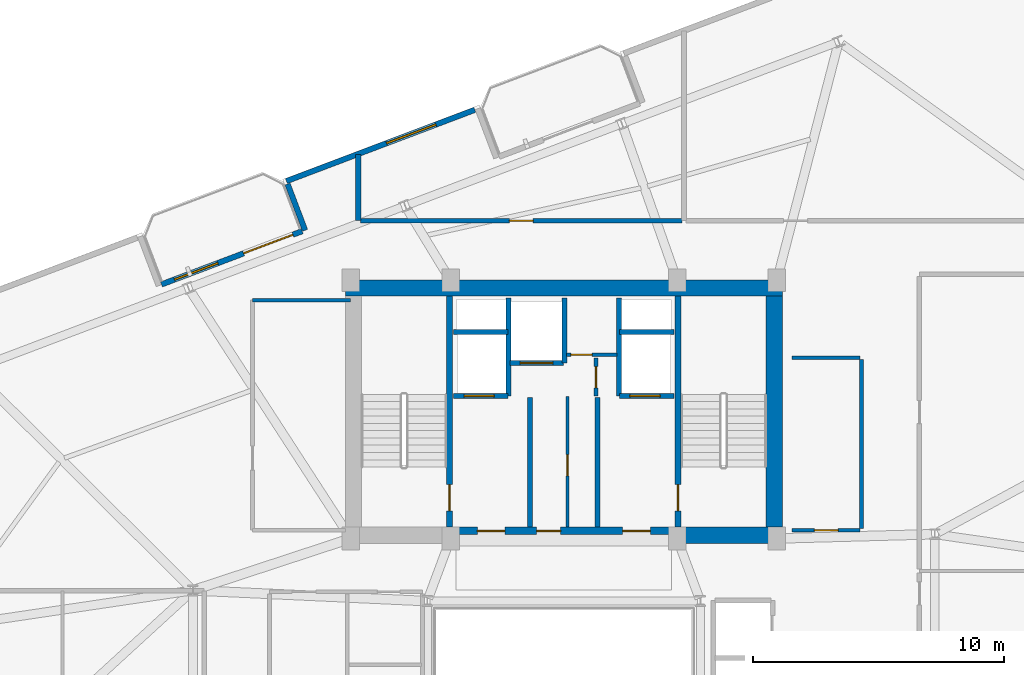
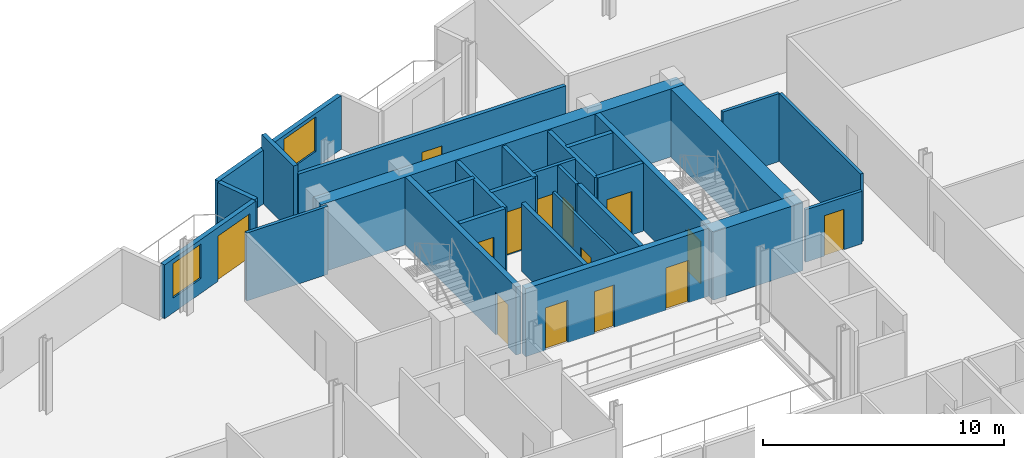
# One storey, part 20 of 23: 28 walls, 14 doors, 2 windows, 16 openings.
"""IFC4 building model written with IfcOpenShell, lengths in metres."""

from ifc_helpers import new_model, si_unit, direction, frame, frame_2d, origin, place, context, subcontext, project, spatial, rectangle, extrude, material, layer, layer_set, type_object, element, fill, save


model = new_model("IFC4")

# Units and contexts
model_context = context("Model", 3, precision=1e-05, world=origin(), true_north=direction((0.0, 1.0)))
body_context = subcontext(model_context, "Body", "Model", "MODEL_VIEW")
ifc_project = project(units=[si_unit("LENGTHUNIT", "METRE"), si_unit("AREAUNIT", "SQUARE_METRE"), si_unit("VOLUMEUNIT", "CUBIC_METRE"), si_unit("PLANEANGLEUNIT", "RADIAN"), si_unit("MASSUNIT", "GRAM", prefix="KILO")], contexts=[model_context])

# Site, building, storey
site_placement = place(None, origin())
site = spatial("IfcSite", under=ifc_project, at=site_placement, CompositionType="ELEMENT")
building_placement = place(site_placement, origin())
building = spatial("IfcBuilding", under=site, at=building_placement, Name="Varnelok Gate Tower", CompositionType="ELEMENT")
storey_placement = place(building_placement, frame((0.0, 0.0, 227.5)))
storey = spatial("IfcBuildingStorey", under=building, at=storey_placement, Name="L58", CompositionType="ELEMENT", Elevation=227.5)

# Wall, openings, door, window
ifc_material_1 = material(Name="Concrete C45/55", Category="concrete")
ifc_layer_1 = layer(ifc_material_1, 0.219970703125)
ifc_layer_set_1 = layer_set([ifc_layer_1], Name="Concrete C45/55")
wall_type_1 = type_object("IfcWallType", Name="EW-BALC-220", PredefinedType="SOLIDWALL", material=ifc_layer_set_1)
wall_1_placement = place(storey_placement, frame((23.1494140625, 38.88720703125, 0.0), z_axis=(0.0, 0.0, 1.0), x_axis=(0.9352192676, 0.354069091436, 0.0)))
wall_1 = element("IfcWall", 1, at=wall_1_placement, inside=storey, type_object=wall_type_1, Name="L58 North Terrace Envelope Wall 3", PredefinedType="SOLIDWALL", context=body_context, shape_type="SweptSolid", body=[
    extrude(rectangle(XDim=6.000244140625, YDim=0.219970703125, at=frame_2d((3.0, 0.0))), origin(), (0.0, 0.0, 1.0), 2.72998046875),
])
opening_1_placement = place(wall_1_placement, frame((3.5, 0.0, 0.0)))
opening_1 = element("IfcOpeningElement", 2, at=opening_1_placement, cuts=wall_1, Name="Opening BD-2", PredefinedType="OPENING", context=body_context, shape_type="SweptSolid", body=[
    extrude(rectangle(XDim=2.10009765625, YDim=2.300048828125, at=frame_2d((1.050048828125, 1.14990234375))), frame((0.0, 0.119873046875, 0.0), z_axis=(0.0, -1.0, 0.0), x_axis=(1.0, 0.0, 0.0)), (0.0, 0.0, 1.0), 0.239990234375),
])
opening_2_placement = place(wall_1_placement, frame((0.550048828125, 0.0, 0.75)))
opening_2 = element("IfcOpeningElement", 3, at=opening_2_placement, cuts=wall_1, Name="Opening WN5", PredefinedType="OPENING", context=body_context, shape_type="SweptSolid", body=[
    extrude(rectangle(XDim=1.85009765625, YDim=1.75, at=frame_2d((0.925048828125, 0.875))), frame((0.0, 0.119873046875, 0.0), z_axis=(0.0, -1.0, 0.0), x_axis=(1.0, 0.0, 0.0)), (0.0, 0.0, 1.0), 0.239990234375),
])
ifc_material_2 = material(Name="Anodized Aluminum Alloy 6063-T6", Category="aluminium")
door_type_1 = type_object("IfcDoorType", Name="DR-EXT-SLID2100", OperationType="SLIDING_TO_LEFT", PredefinedType="DOOR", material=ifc_material_2)
door_1_placement = place(opening_1_placement, origin())
door_1 = element("IfcDoor", 4, at=door_1_placement, inside=storey, type_object=door_type_1, Name="L58 North Balcony Glazed Door 3", OperationType="SLIDING_TO_LEFT", OverallHeight=2.300048828125, OverallWidth=2.10009765625, PredefinedType="DOOR", context=body_context, shape_type="SweptSolid", body=[
    extrude(rectangle(XDim=2.10009765625, YDim=2.300048828125, at=frame_2d((1.050048828125, 1.14990234375))), frame((0.0, 0.02490234375, 0.0), z_axis=(0.0, -1.0, 0.0), x_axis=(1.0, 0.0, 0.0)), (0.0, 0.0, 1.0), 0.050048828125),
])
fill(opening_1, door_1)
ifc_material_3 = material(Name="Low-E Laminated Double Glazing IGU", Category="glass")
window_type_1 = type_object("IfcWindowType", Name="WN-RES-1850", PartitioningType="SINGLE_PANEL", PredefinedType="WINDOW", material=ifc_material_3)
window_1_placement = place(opening_2_placement, origin())
window_1 = element("IfcWindow", 5, at=window_1_placement, inside=storey, type_object=window_type_1, Name="L58 North Vision Window 3.1", OverallHeight=1.75, OverallWidth=1.85009765625, PartitioningType="SINGLE_PANEL", PredefinedType="WINDOW", context=body_context, shape_type="SweptSolid", body=[
    extrude(rectangle(XDim=1.85009765625, YDim=1.75, at=frame_2d((0.925048828125, 0.875))), frame((0.0, 0.030029296875, 0.0), z_axis=(0.0, -1.0, 0.0), x_axis=(1.0, 0.0, 0.0)), (0.0, 0.0, 1.0), 0.06005859375),
])
fill(opening_2, window_1)

# Wall, opening, window
wall_2_placement = place(storey_placement, frame((35.647705078125, 45.853515625, 0.0), z_axis=(0.0, 0.0, 1.0), x_axis=(-0.935230796934, -0.354038636968, 0.0)))
wall_2 = element("IfcWall", 6, at=wall_2_placement, inside=storey, type_object=wall_type_1, Name="L58 Perimeter Facade Closure Wall 29", PredefinedType="SOLIDWALL", context=body_context, shape_type="SweptSolid", body=[
    extrude(rectangle(XDim=8.03515625, YDim=0.219970703125, at=frame_2d((4.017578125, 0.0))), origin(), (0.0, 0.0, 1.0), 2.72998046875),
])
opening_3_placement = place(wall_2_placement, frame((1.661865234375, 0.0, 0.800048828125)))
opening_3 = element("IfcOpeningElement", 7, at=opening_3_placement, cuts=wall_2, Name="Opening WN4", PredefinedType="OPENING", context=body_context, shape_type="SweptSolid", body=[
    extrude(rectangle(XDim=2.10009765625, YDim=1.75, at=frame_2d((1.050048828125, 0.875))), frame((0.0, 0.119873046875, 0.0), z_axis=(0.0, -1.0, 0.0), x_axis=(1.0, 0.0, 0.0)), (0.0, 0.0, 1.0), 0.239990234375),
])
window_type_2 = type_object("IfcWindowType", Name="WN-SUI-2100", PartitioningType="SINGLE_PANEL", PredefinedType="WINDOW", material=ifc_material_3)
window_2_placement = place(opening_3_placement, origin())
window_2 = element("IfcWindow", 8, at=window_2_placement, inside=storey, type_object=window_type_2, Name="L58 Perimeter Vision Window 29", OverallHeight=1.75, OverallWidth=2.10009765625, PartitioningType="SINGLE_PANEL", PredefinedType="WINDOW", context=body_context, shape_type="SweptSolid", body=[
    extrude(rectangle(XDim=2.10009765625, YDim=1.75, at=frame_2d((1.050048828125, 0.875))), frame((0.0, 0.030029296875, 0.0), z_axis=(0.0, -1.0, 0.0), x_axis=(1.0, 0.0, 0.0)), (0.0, 0.0, 1.0), 0.06005859375),
])
fill(opening_3, window_2)

# Wall
wall_3_placement = place(storey_placement, frame((28.177490234375, 42.891845703125, 0.0), z_axis=(0.0, 0.0, 1.0), x_axis=(0.354061611705, -0.935222099352, 0.0)))
element("IfcWall", 9, at=wall_3_placement, inside=storey, type_object=wall_type_1, Name="L58 Perimeter Facade Closure Wall 30", PredefinedType="SOLIDWALL", context=body_context, shape_type="SweptSolid", body=[
    extrude(rectangle(XDim=1.974853515625, YDim=0.219970703125, at=frame_2d((0.9873046875, 0.0))), origin(), (0.0, 0.0, 1.0), 2.72998046875),
])

# Wall, opening, door
ifc_material_4 = material(Name="Gypsum Plasterboard Acoustic Partition", Category="gypsum")
ifc_layer_2 = layer(ifc_material_4, 0.179931640625)
ifc_layer_set_2 = layer_set([ifc_layer_2], Name="Gypsum Plasterboard Acoustic Partition")
wall_type_2 = type_object("IfcWallType", Name="PW-CORR-180", PredefinedType="PARTITIONING", material=ifc_layer_set_2)
wall_4_placement = place(storey_placement, frame((31.080078125, 41.429931640625, 0.0), z_axis=(0.0, 0.0, 1.0), x_axis=(1.0, 0.0, 0.0)))
wall_4 = element("IfcWall", 10, at=wall_4_placement, inside=storey, type_object=wall_type_2, Name="Interior Partition", PredefinedType="PARTITIONING", context=body_context, shape_type="SweptSolid", body=[
    extrude(rectangle(XDim=12.83984375, YDim=0.179931640625, at=frame_2d((6.419921875, 0.0))), origin(), (0.0, 0.0, 1.0), 3.01806640625),
])
opening_4_placement = place(wall_4_placement, frame((5.945068359375, 0.0, 0.0)))
opening_4 = element("IfcOpeningElement", 11, at=opening_4_placement, cuts=wall_4, Name="Opening D-I2", PredefinedType="OPENING", context=body_context, shape_type="SweptSolid", body=[
    extrude(rectangle(XDim=0.949951171875, YDim=2.050048828125, at=frame_2d((0.47509765625, 1.02490234375))), frame((0.0, 0.099853515625, 0.0), z_axis=(0.0, -1.0, 0.0), x_axis=(1.0, 0.0, 0.0)), (0.0, 0.0, 1.0), 0.199951171875),
])
ifc_material_5 = material(Name="Engineered Hardwood Timber", Category="wood")
door_type_2 = type_object("IfcDoorType", Name="DR-INT-950", OperationType="NOTDEFINED", PredefinedType="DOOR", material=ifc_material_5)
door_2_placement = place(opening_4_placement, origin())
door_2 = element("IfcDoor", 12, at=door_2_placement, inside=storey, type_object=door_type_2, Name="L58 Executive Business Office 2 Door", OperationType="SINGLE_SWING_LEFT", OverallHeight=2.050048828125, OverallWidth=0.949951171875, PredefinedType="DOOR", context=body_context, shape_type="SweptSolid", body=[
    extrude(rectangle(XDim=0.949951171875, YDim=2.050048828125, at=frame_2d((0.47509765625, 1.02490234375))), frame((0.0, 0.02490234375, 0.0), z_axis=(0.0, -1.0, 0.0), x_axis=(1.0, 0.0, 0.0)), (0.0, 0.0, 1.0), 0.050048828125),
])
fill(opening_4, door_2)

ifc_layer_3 = layer(ifc_material_4, 0.125)
ifc_layer_set_3 = layer_set([ifc_layer_3], Name="Gypsum Plasterboard Acoustic Partition")
wall_type_3 = type_object("IfcWallType", Name="PW-PART-125", PredefinedType="PARTITIONING", material=ifc_layer_set_3)
wall_5_placement = place(storey_placement, frame((39.35009765625, 29.199951171875, 0.0), z_axis=(0.0, 0.0, 1.0), x_axis=(0.0, 1.0, 0.0)))
wall_5 = element("IfcWall", 13, at=wall_5_placement, inside=storey, type_object=wall_type_3, Name="Interior Partition", PredefinedType="PARTITIONING", context=body_context, shape_type="SweptSolid", body=[
    extrude(rectangle(XDim=5.219970703125, YDim=0.125, at=frame_2d((2.60986328125, 0.0))), origin(), (0.0, 0.0, 1.0), 3.449951171875),
])
opening_5_placement = place(wall_5_placement, frame((2.050048828125, 0.0, 0.0)))
opening_5 = element("IfcOpeningElement", 14, at=opening_5_placement, cuts=wall_5, Name="Opening D-RS", PredefinedType="OPENING", context=body_context, shape_type="SweptSolid", body=[
    extrude(rectangle(XDim=0.85009765625, YDim=2.050048828125, at=frame_2d((0.425048828125, 1.02490234375))), frame((0.0, 0.072509765625, 0.0), z_axis=(0.0, -1.0, 0.0), x_axis=(1.0, 0.0, 0.0)), (0.0, 0.0, 1.0), 0.14501953125),
])
ifc_material_6 = material(Name="Galvanized Steel Grade S350GD", Category="steel")
door_type_3 = type_object("IfcDoorType", Name="DR-RISER-850", OperationType="NOTDEFINED", PredefinedType="DOOR", material=ifc_material_6)
door_3_placement = place(opening_5_placement, origin())
door_3 = element("IfcDoor", 15, at=door_3_placement, inside=storey, type_object=door_type_3, Name="L58 Housekeeping Linen Door", OperationType="SINGLE_SWING_RIGHT", OverallHeight=2.050048828125, OverallWidth=0.85009765625, PredefinedType="DOOR", context=body_context, shape_type="SweptSolid", body=[
    extrude(rectangle(XDim=0.85009765625, YDim=2.050048828125, at=frame_2d((0.425048828125, 1.02490234375))), frame((0.0, 0.02490234375, 0.0), z_axis=(0.0, -1.0, 0.0), x_axis=(1.0, 0.0, 0.0)), (0.0, 0.0, 1.0), 0.050048828125),
])
fill(opening_5, door_3)

ifc_layer_4 = layer(ifc_material_4, 0.14990234375)
ifc_layer_set_4 = layer_set([ifc_layer_4], Name="Gypsum Plasterboard Acoustic Partition")
wall_type_4 = type_object("IfcWallType", Name="PW-PART-150", PredefinedType="PARTITIONING", material=ifc_layer_set_4)
wall_6_placement = place(storey_placement, frame((39.300048828125, 36.080078125, 0.0), z_axis=(0.0, 0.0, 1.0), x_axis=(1.0, 0.0, 0.0)))
wall_6 = element("IfcWall", 16, at=wall_6_placement, inside=storey, type_object=wall_type_4, Name="L58 Electrical Closet South Wall", PredefinedType="PARTITIONING", context=body_context, shape_type="SweptSolid", body=[
    extrude(rectangle(XDim=2.02001953125, YDim=0.14990234375, at=frame_2d((1.010009765625, 0.0))), origin(), (0.0, 0.0, 1.0), 3.449951171875),
])
opening_6_placement = place(wall_6_placement, frame((0.179931640625, 0.0, 0.0)))
opening_6 = element("IfcOpeningElement", 17, at=opening_6_placement, cuts=wall_6, Name="Opening D-RS", PredefinedType="OPENING", context=body_context, shape_type="SweptSolid", body=[
    extrude(rectangle(XDim=0.85009765625, YDim=2.050048828125, at=frame_2d((0.425048828125, 1.02490234375))), frame((0.0, 0.0849609375, 0.0), z_axis=(0.0, -1.0, 0.0), x_axis=(1.0, 0.0, 0.0)), (0.0, 0.0, 1.0), 0.169921875),
])
door_4_placement = place(opening_6_placement, origin())
door_4 = element("IfcDoor", 18, at=door_4_placement, inside=storey, type_object=door_type_3, Name="L58 Electrical Closet Door", OperationType="SINGLE_SWING_RIGHT", OverallHeight=2.050048828125, OverallWidth=0.85009765625, PredefinedType="DOOR", context=body_context, shape_type="SweptSolid", body=[
    extrude(rectangle(XDim=0.85009765625, YDim=2.050048828125, at=frame_2d((0.425048828125, 1.02490234375))), frame((0.0, 0.02490234375, 0.0), z_axis=(0.0, -1.0, 0.0), x_axis=(1.0, 0.0, 0.0)), (0.0, 0.0, 1.0), 0.050048828125),
])
fill(opening_6, door_4)

wall_7_placement = place(storey_placement, frame((40.47998046875, 34.43994140625, 0.0), z_axis=(0.0, 0.0, 1.0), x_axis=(0.0, 1.0, 0.0)))
wall_7 = element("IfcWall", 19, at=wall_7_placement, inside=storey, type_object=wall_type_4, Name="L58 Telecoms Closet West Wall", PredefinedType="PARTITIONING", context=body_context, shape_type="SweptSolid", body=[
    extrude(rectangle(XDim=1.52001953125, YDim=0.14990234375, at=frame_2d((0.760009765625, 0.0))), origin(), (0.0, 0.0, 1.0), 3.449951171875),
])
opening_7_placement = place(wall_7_placement, frame((0.320068359375, 0.0, 0.0)))
opening_7 = element("IfcOpeningElement", 20, at=opening_7_placement, cuts=wall_7, Name="Opening D-RS", PredefinedType="OPENING", context=body_context, shape_type="SweptSolid", body=[
    extrude(rectangle(XDim=0.85009765625, YDim=2.050048828125, at=frame_2d((0.425048828125, 1.02490234375))), frame((0.0, 0.0849609375, 0.0), z_axis=(0.0, -1.0, 0.0), x_axis=(1.0, 0.0, 0.0)), (0.0, 0.0, 1.0), 0.169921875),
])
door_5_placement = place(opening_7_placement, origin())
door_5 = element("IfcDoor", 21, at=door_5_placement, inside=storey, type_object=door_type_3, Name="L58 Telecoms Closet Door", OperationType="SINGLE_SWING_LEFT", OverallHeight=2.050048828125, OverallWidth=0.85009765625, PredefinedType="DOOR", context=body_context, shape_type="SweptSolid", body=[
    extrude(rectangle(XDim=0.85009765625, YDim=2.050048828125, at=frame_2d((0.425048828125, 1.02490234375))), frame((0.0, 0.02490234375, 0.0), z_axis=(0.0, -1.0, 0.0), x_axis=(1.0, 0.0, 0.0)), (0.0, 0.0, 1.0), 0.050048828125),
])
fill(opening_7, door_5)

# Wall
wall_8_placement = place(storey_placement, frame((26.780029296875, 38.260009765625, 0.0), z_axis=(0.0, 0.0, 1.0), x_axis=(1.0, 0.0, 0.0)))
element("IfcWall", 22, at=wall_8_placement, inside=storey, type_object=wall_type_4, Name="Interior Partition", PredefinedType="PARTITIONING", context=body_context, shape_type="SweptSolid", body=[
    extrude(rectangle(XDim=3.89990234375, YDim=0.14990234375, at=frame_2d((1.949951171875, 0.0))), origin(), (0.0, 0.0, 1.0), 3.449951171875),
])

# Wall, opening, door
wall_9_placement = place(storey_placement, frame((48.300048828125, 29.080078125, 0.0), z_axis=(0.0, 0.0, 1.0), x_axis=(1.0, 0.0, 0.0)))
wall_9 = element("IfcWall", 23, at=wall_9_placement, inside=storey, type_object=wall_type_4, Name="Interior Partition", PredefinedType="PARTITIONING", context=body_context, shape_type="SweptSolid", body=[
    extrude(rectangle(XDim=2.719970703125, YDim=0.14990234375, at=frame_2d((1.35986328125, 0.0))), origin(), (0.0, 0.0, 1.0), 2.662109375),
])
opening_8_placement = place(wall_9_placement, frame((0.89990234375, 0.0, 0.0)))
opening_8 = element("IfcOpeningElement", 24, at=opening_8_placement, cuts=wall_9, Name="Opening D-I2", PredefinedType="OPENING", context=body_context, shape_type="SweptSolid", body=[
    extrude(rectangle(XDim=0.949951171875, YDim=2.050048828125, at=frame_2d((0.47509765625, 1.02490234375))), frame((0.0, 0.0849609375, 0.0), z_axis=(0.0, -1.0, 0.0), x_axis=(1.0, 0.0, 0.0)), (0.0, 0.0, 1.0), 0.169921875),
])
door_6_placement = place(opening_8_placement, origin())
door_6 = element("IfcDoor", 25, at=door_6_placement, inside=storey, type_object=door_type_2, Name="L58 Reclaimed Trunk Store Door", OperationType="SINGLE_SWING_LEFT", OverallHeight=2.050048828125, OverallWidth=0.949951171875, PredefinedType="DOOR", context=body_context, shape_type="SweptSolid", body=[
    extrude(rectangle(XDim=0.949951171875, YDim=2.050048828125, at=frame_2d((0.47509765625, 1.02490234375))), frame((0.0, 0.02490234375, 0.0), z_axis=(0.0, -1.0, 0.0), x_axis=(1.0, 0.0, 0.0)), (0.0, 0.0, 1.0), 0.050048828125),
])
fill(opening_8, door_6)

# Walls
wall_10_placement = place(storey_placement, frame((48.300048828125, 35.9599609375, 0.0), z_axis=(0.0, 0.0, 1.0), x_axis=(1.0, 0.0, 0.0)))
element("IfcWall", 26, at=wall_10_placement, inside=storey, type_object=wall_type_4, Name="Interior Partition", PredefinedType="PARTITIONING", context=body_context, shape_type="SweptSolid", body=[
    extrude(rectangle(XDim=2.719970703125, YDim=0.14990234375, at=frame_2d((1.35986328125, 0.0))), origin(), (0.0, 0.0, 1.0), 3.449951171875),
])
wall_11_placement = place(storey_placement, frame((51.080078125, 29.139892578125, 0.0), z_axis=(0.0, 0.0, 1.0), x_axis=(0.0, 1.0, 0.0)))
element("IfcWall", 27, at=wall_11_placement, inside=storey, type_object=wall_type_4, Name="Interior Partition", PredefinedType="PARTITIONING", context=body_context, shape_type="SweptSolid", body=[
    extrude(rectangle(XDim=6.760009765625, YDim=0.14990234375, at=frame_2d((3.3798828125, 0.0))), origin(), (0.0, 0.0, 1.0), 3.449951171875),
])
ifc_layer_5 = layer(ifc_material_4, 0.205078125)
ifc_layer_set_5 = layer_set([ifc_layer_5], Name="Gypsum Plasterboard Acoustic Partition")
wall_type_5 = type_object("IfcWallType", Name="PW-PARTY-200", PredefinedType="PARTITIONING", material=ifc_layer_set_5)
wall_12_placement = place(storey_placement, frame((31.0, 41.429931640625, 0.0), z_axis=(0.0, 0.0, 1.0), x_axis=(0.0, 1.0, 0.0)))
element("IfcWall", 28, at=wall_12_placement, inside=storey, type_object=wall_type_5, Name="L58 North Party Wall 1", PredefinedType="PARTITIONING", context=body_context, shape_type="SweptSolid", body=[
    extrude(rectangle(XDim=2.642822265625, YDim=0.205078125, at=frame_2d((1.3212890625, 0.0))), origin(), (0.0, 0.0, 1.0), 3.449951171875),
])
ifc_material_7 = material(Name="Concrete C35/45", Category="concrete")
ifc_layer_6 = layer(ifc_material_7, 0.199951171875)
ifc_layer_set_6 = layer_set([ifc_layer_6], Name="Concrete C35/45")
wall_type_6 = type_object("IfcWallType", Name="PW-SHAFT-200", PredefinedType="PARTITIONING", material=ifc_layer_set_6)
for number, where, z_axis, x_axis, name in (
    (29, (37.860107421875, 29.199951171875, 0.0), (0.0, 0.0, 1.0), (0.0, 1.0, 0.0), "L58 West FF Lobby Rated Wall"),
    (30, (40.5400390625, 29.199951171875, 0.0), (0.0, 0.0, 1.0), (0.0, 1.0, 0.0), "L58 East FF Lobby Rated Wall"),
):
    element("IfcWall", number, at=place(storey_placement, frame(where, z_axis=z_axis, x_axis=x_axis)), inside=storey, type_object=wall_type_6, Name=name, PredefinedType="PARTITIONING", context=body_context, shape_type="SweptSolid", body=[
        extrude(rectangle(XDim=5.179931640625, YDim=0.199951171875, at=frame_2d((2.58984375, 0.0))), origin(), (0.0, 0.0, 1.0), 3.449951171875),
    ])

# Wall, opening, door
wall_13_placement = place(storey_placement, frame((34.800048828125, 34.43994140625, 0.0), z_axis=(0.0, 0.0, 1.0), x_axis=(1.0, 0.0, 0.0)))
wall_13 = element("IfcWall", 31, at=wall_13_placement, inside=storey, type_object=wall_type_6, Name="L58 FF1 Shaft Front Wall", PredefinedType="PARTITIONING", context=body_context, shape_type="SweptSolid", body=[
    extrude(rectangle(XDim=2.179931640625, YDim=0.199951171875, at=frame_2d((1.08984375, 0.0))), origin(), (0.0, 0.0, 1.0), 3.449951171875),
])
opening_9_placement = place(wall_13_placement, frame((0.419921875, 0.0, 0.0)))
opening_9 = element("IfcOpeningElement", 32, at=opening_9_placement, cuts=wall_13, Name="Opening LD-FF1", PredefinedType="OPENING", context=body_context, shape_type="SweptSolid", body=[
    extrude(rectangle(XDim=1.199951171875, YDim=2.199951171875, at=frame_2d((0.60009765625, 1.10009765625))), frame((0.0, 0.10986328125, 0.0), z_axis=(0.0, -1.0, 0.0), x_axis=(1.0, 0.0, 0.0)), (0.0, 0.0, 1.0), 0.219970703125),
])
door_type_4 = type_object("IfcDoorType", Name="DR-LIFT-FF1200", OperationType="SLIDING_TO_LEFT", PredefinedType="DOOR", material=ifc_material_6)
door_7_placement = place(opening_9_placement, origin())
door_7 = element("IfcDoor", 33, at=door_7_placement, inside=storey, type_object=door_type_4, Name="L58 Firefighting Lift Landing Door LD-FF1", OperationType="SLIDING_TO_LEFT", OverallHeight=2.199951171875, OverallWidth=1.199951171875, PredefinedType="DOOR", context=body_context, shape_type="SweptSolid", body=[
    extrude(rectangle(XDim=1.199951171875, YDim=2.199951171875, at=frame_2d((0.60009765625, 1.10009765625))), frame((0.0, 0.02490234375, 0.0), z_axis=(0.0, -1.0, 0.0), x_axis=(1.0, 0.0, 0.0)), (0.0, 0.0, 1.0), 0.050048828125),
])
fill(opening_9, door_7)

# Walls
wall_14_placement = place(storey_placement, frame((34.800048828125, 36.97998046875, 0.0), z_axis=(0.0, 0.0, 1.0), x_axis=(1.0, 0.0, 0.0)))
element("IfcWall", 34, at=wall_14_placement, inside=storey, type_object=wall_type_6, Name="L58 FF1 Shaft North Wall", PredefinedType="PARTITIONING", context=body_context, shape_type="SweptSolid", body=[
    extrude(rectangle(XDim=2.179931640625, YDim=0.199951171875, at=frame_2d((1.08984375, 0.0))), origin(), (0.0, 0.0, 1.0), 3.449951171875),
])
wall_15_placement = place(storey_placement, frame((37.0, 34.43994140625, 0.0), z_axis=(0.0, 0.0, 1.0), x_axis=(0.0, 1.0, 0.0)))
element("IfcWall", 35, at=wall_15_placement, inside=storey, type_object=wall_type_6, Name="L58 FF1 Shaft Side Wall", PredefinedType="PARTITIONING", context=body_context, shape_type="SweptSolid", body=[
    extrude(rectangle(XDim=3.900146484375, YDim=0.199951171875, at=frame_2d((1.9501953125, 0.0))), origin(), (0.0, 0.0, 1.0), 3.449951171875),
])

# Wall, opening, door
wall_16_placement = place(storey_placement, frame((41.419921875, 34.43994140625, 0.0), z_axis=(0.0, 0.0, 1.0), x_axis=(1.0, 0.0, 0.0)))
wall_16 = element("IfcWall", 36, at=wall_16_placement, inside=storey, type_object=wall_type_6, Name="L58 FF2 Shaft Front Wall", PredefinedType="PARTITIONING", context=body_context, shape_type="SweptSolid", body=[
    extrude(rectangle(XDim=2.18017578125, YDim=0.199951171875, at=frame_2d((1.090087890625, 0.0))), origin(), (0.0, 0.0, 1.0), 3.449951171875),
])
opening_10_placement = place(wall_16_placement, frame((0.419921875, 0.0, 0.0)))
opening_10 = element("IfcOpeningElement", 37, at=opening_10_placement, cuts=wall_16, Name="Opening LD-FF2", PredefinedType="OPENING", context=body_context, shape_type="SweptSolid", body=[
    extrude(rectangle(XDim=1.199951171875, YDim=2.199951171875, at=frame_2d((0.60009765625, 1.10009765625))), frame((0.0, 0.10986328125, 0.0), z_axis=(0.0, -1.0, 0.0), x_axis=(1.0, 0.0, 0.0)), (0.0, 0.0, 1.0), 0.219970703125),
])
door_8_placement = place(opening_10_placement, origin())
door_8 = element("IfcDoor", 38, at=door_8_placement, inside=storey, type_object=door_type_4, Name="L58 Firefighting Lift Landing Door LD-FF2", OperationType="SLIDING_TO_LEFT", OverallHeight=2.199951171875, OverallWidth=1.199951171875, PredefinedType="DOOR", context=body_context, shape_type="SweptSolid", body=[
    extrude(rectangle(XDim=1.199951171875, YDim=2.199951171875, at=frame_2d((0.60009765625, 1.10009765625))), frame((0.0, 0.02490234375, 0.0), z_axis=(0.0, -1.0, 0.0), x_axis=(1.0, 0.0, 0.0)), (0.0, 0.0, 1.0), 0.050048828125),
])
fill(opening_10, door_8)

# Walls
wall_17_placement = place(storey_placement, frame((41.419921875, 36.97998046875, 0.0), z_axis=(0.0, 0.0, 1.0), x_axis=(1.0, 0.0, 0.0)))
element("IfcWall", 39, at=wall_17_placement, inside=storey, type_object=wall_type_6, Name="L58 FF2 Shaft North Wall", PredefinedType="PARTITIONING", context=body_context, shape_type="SweptSolid", body=[
    extrude(rectangle(XDim=2.18017578125, YDim=0.199951171875, at=frame_2d((1.090087890625, 0.0))), origin(), (0.0, 0.0, 1.0), 3.449951171875),
])
wall_18_placement = place(storey_placement, frame((41.39990234375, 34.43994140625, 0.0), z_axis=(0.0, 0.0, 1.0), x_axis=(0.0, 1.0, 0.0)))
element("IfcWall", 40, at=wall_18_placement, inside=storey, type_object=wall_type_6, Name="L58 FF2 Shaft Side Wall", PredefinedType="PARTITIONING", context=body_context, shape_type="SweptSolid", body=[
    extrude(rectangle(XDim=3.900146484375, YDim=0.199951171875, at=frame_2d((1.9501953125, 0.0))), origin(), (0.0, 0.0, 1.0), 3.449951171875),
])

# Wall, opening, door
wall_19_placement = place(storey_placement, frame((37.06005859375, 35.75, 0.0), z_axis=(0.0, 0.0, 1.0), x_axis=(1.0, 0.0, 0.0)))
wall_19 = element("IfcWall", 41, at=wall_19_placement, inside=storey, type_object=wall_type_6, Name="L58 SV1 Shaft Front Wall", PredefinedType="PARTITIONING", context=body_context, shape_type="SweptSolid", body=[
    extrude(rectangle(XDim=2.119873046875, YDim=0.199951171875, at=frame_2d((1.06005859375, 0.0))), origin(), (0.0, 0.0, 1.0), 3.449951171875),
])
opening_11_placement = place(wall_19_placement, frame((0.39990234375, 0.0, 0.0)))
opening_11 = element("IfcOpeningElement", 42, at=opening_11_placement, cuts=wall_19, Name="Opening LD-SV1", PredefinedType="OPENING", context=body_context, shape_type="SweptSolid", body=[
    extrude(rectangle(XDim=1.300048828125, YDim=2.199951171875, at=frame_2d((0.64990234375, 1.10009765625))), frame((0.0, 0.10986328125, 0.0), z_axis=(0.0, -1.0, 0.0), x_axis=(1.0, 0.0, 0.0)), (0.0, 0.0, 1.0), 0.219970703125),
])
door_type_5 = type_object("IfcDoorType", Name="DR-LIFT-SV1300", OperationType="SLIDING_TO_LEFT", PredefinedType="DOOR", material=ifc_material_6)
door_9_placement = place(opening_11_placement, origin())
door_9 = element("IfcDoor", 43, at=door_9_placement, inside=storey, type_object=door_type_5, Name="L58 Service Lift Landing Door LD-SV1", OperationType="SLIDING_TO_LEFT", OverallHeight=2.199951171875, OverallWidth=1.300048828125, PredefinedType="DOOR", context=body_context, shape_type="SweptSolid", body=[
    extrude(rectangle(XDim=1.300048828125, YDim=2.199951171875, at=frame_2d((0.64990234375, 1.10009765625))), frame((0.0, 0.02490234375, 0.0), z_axis=(0.0, -1.0, 0.0), x_axis=(1.0, 0.0, 0.0)), (0.0, 0.0, 1.0), 0.050048828125),
])
fill(opening_11, door_9)

# Walls
wall_20_placement = place(storey_placement, frame((39.219970703125, 35.75, 0.0), z_axis=(0.0, 0.0, 1.0), x_axis=(0.0, 1.0, 0.0)))
element("IfcWall", 44, at=wall_20_placement, inside=storey, type_object=wall_type_6, Name="L58 SV1 Shaft East Wall", PredefinedType="PARTITIONING", context=body_context, shape_type="SweptSolid", body=[
    extrude(rectangle(XDim=2.590087890625, YDim=0.199951171875, at=frame_2d((1.294921875, 0.0))), origin(), (0.0, 0.0, 1.0), 3.449951171875),
])
ifc_material_8 = material(Name="Concrete C60/75", Category="concrete")
ifc_layer_7 = layer(ifc_material_8, 0.64990234375)
ifc_layer_set_7 = layer_set([ifc_layer_7], Name="Concrete C60/75")
wall_type_7 = type_object("IfcWallType", Name="SW-CORE-650", PredefinedType="SHEAR", material=ifc_layer_set_7)
wall_21_placement = place(storey_placement, frame((30.47998046875, 38.7451171875, 0.0), z_axis=(0.0, 0.0, 1.0), x_axis=(1.0, 0.0, 0.0)))
element("IfcWall", 45, at=wall_21_placement, inside=storey, type_object=wall_type_7, Name="L58 Rear Core North Shear Wall", PredefinedType="SHEAR", context=body_context, shape_type="SweptSolid", body=[
    extrude(rectangle(XDim=17.43994140625, YDim=0.64990234375, at=frame_2d((8.719970703125, 0.0))), origin(), (0.0, 0.0, 1.0), 3.449951171875),
])
wall_22_placement = place(storey_placement, frame((47.594970703125, 29.199951171875, 0.0), z_axis=(0.0, 0.0, 1.0), x_axis=(0.0, 1.0, 0.0)))
element("IfcWall", 46, at=wall_22_placement, inside=storey, type_object=wall_type_7, Name="L58 Rear Core East Shear Wall", PredefinedType="SHEAR", context=body_context, shape_type="SweptSolid", body=[
    extrude(rectangle(XDim=9.219970703125, YDim=0.64990234375, at=frame_2d((4.60986328125, 0.0))), origin(), (0.0, 0.0, 1.0), 3.449951171875),
])
wall_23_placement = place(storey_placement, frame((43.60009765625, 28.875, 0.0), z_axis=(0.0, 0.0, 1.0), x_axis=(1.0, 0.0, 0.0)))
element("IfcWall", 47, at=wall_23_placement, inside=storey, type_object=wall_type_7, Name="L58 Rear Core South-East Shear Wall", PredefinedType="SHEAR", context=body_context, shape_type="SweptSolid", body=[
    extrude(rectangle(XDim=4.31982421875, YDim=0.64990234375, at=frame_2d((2.159912109375, 0.0))), origin(), (0.0, 0.0, 1.0), 3.449951171875),
])

# Wall, opening, door
ifc_layer_8 = layer(ifc_material_8, 0.25)
ifc_layer_set_8 = layer_set([ifc_layer_8], Name="Concrete C60/75")
wall_type_8 = type_object("IfcWallType", Name="SW-SHAFT-250", PredefinedType="SHEAR", material=ifc_layer_set_8)
wall_24_placement = place(storey_placement, frame((34.639892578125, 29.199951171875, 0.0), z_axis=(0.0, 0.0, 1.0), x_axis=(0.0, 1.0, 0.0)))
wall_24 = element("IfcWall", 48, at=wall_24_placement, inside=storey, type_object=wall_type_8, Name="L58 Stair ST-1 East Shear Wall", PredefinedType="SHEAR", context=body_context, shape_type="SweptSolid", body=[
    extrude(rectangle(XDim=9.219970703125, YDim=0.25, at=frame_2d((4.60986328125, 0.0))), origin(), (0.0, 0.0, 1.0), 3.449951171875),
])
opening_12_placement = place(wall_24_placement, frame((0.64990234375, 0.0, 0.0)))
opening_12 = element("IfcOpeningElement", 49, at=opening_12_placement, cuts=wall_24, Name="Opening D-ST", PredefinedType="OPENING", context=body_context, shape_type="SweptSolid", body=[
    extrude(rectangle(XDim=1.050048828125, YDim=2.14990234375, at=frame_2d((0.52490234375, 1.074951171875))), frame((0.0, 0.135009765625, 0.0), z_axis=(0.0, -1.0, 0.0), x_axis=(1.0, 0.0, 0.0)), (0.0, 0.0, 1.0), 0.27001953125),
])
door_type_6 = type_object("IfcDoorType", Name="DR-STAIR-1050", OperationType="NOTDEFINED", PredefinedType="DOOR", material=ifc_material_6)
door_10_placement = place(opening_12_placement, origin())
door_10 = element("IfcDoor", 50, at=door_10_placement, inside=storey, type_object=door_type_6, Name="L58 Exit Stair ST-1 Fire Door", OperationType="SINGLE_SWING_LEFT", OverallHeight=2.14990234375, OverallWidth=1.050048828125, PredefinedType="DOOR", context=body_context, shape_type="SweptSolid", body=[
    extrude(rectangle(XDim=1.050048828125, YDim=2.14990234375, at=frame_2d((0.52490234375, 1.074951171875))), frame((0.0, 0.02490234375, 0.0), z_axis=(0.0, -1.0, 0.0), x_axis=(1.0, 0.0, 0.0)), (0.0, 0.0, 1.0), 0.050048828125),
])
fill(opening_12, door_10)

wall_25_placement = place(storey_placement, frame((43.760009765625, 29.199951171875, 0.0), z_axis=(0.0, 0.0, 1.0), x_axis=(0.0, 1.0, 0.0)))
wall_25 = element("IfcWall", 51, at=wall_25_placement, inside=storey, type_object=wall_type_8, Name="L58 Stair ST-2 West Shear Wall", PredefinedType="SHEAR", context=body_context, shape_type="SweptSolid", body=[
    extrude(rectangle(XDim=9.219970703125, YDim=0.25, at=frame_2d((4.60986328125, 0.0))), origin(), (0.0, 0.0, 1.0), 3.449951171875),
])
opening_13_placement = place(wall_25_placement, frame((0.64990234375, 0.0, 0.0)))
opening_13 = element("IfcOpeningElement", 52, at=opening_13_placement, cuts=wall_25, Name="Opening D-ST", PredefinedType="OPENING", context=body_context, shape_type="SweptSolid", body=[
    extrude(rectangle(XDim=1.050048828125, YDim=2.14990234375, at=frame_2d((0.52490234375, 1.074951171875))), frame((0.0, 0.135009765625, 0.0), z_axis=(0.0, -1.0, 0.0), x_axis=(1.0, 0.0, 0.0)), (0.0, 0.0, 1.0), 0.27001953125),
])
door_11_placement = place(opening_13_placement, origin())
door_11 = element("IfcDoor", 53, at=door_11_placement, inside=storey, type_object=door_type_6, Name="L58 Exit Stair ST-2 Fire Door", OperationType="SINGLE_SWING_RIGHT", OverallHeight=2.14990234375, OverallWidth=1.050048828125, PredefinedType="DOOR", context=body_context, shape_type="SweptSolid", body=[
    extrude(rectangle(XDim=1.050048828125, YDim=2.14990234375, at=frame_2d((0.52490234375, 1.074951171875))), frame((0.0, 0.02490234375, 0.0), z_axis=(0.0, -1.0, 0.0), x_axis=(1.0, 0.0, 0.0)), (0.0, 0.0, 1.0), 0.050048828125),
])
fill(opening_13, door_11)

# Wall, openings, doors
ifc_layer_9 = layer(ifc_material_8, 0.300048828125)
ifc_layer_set_9 = layer_set([ifc_layer_9], Name="Concrete C60/75")
wall_type_9 = type_object("IfcWallType", Name="SW-SHAFT-300", PredefinedType="SHEAR", material=ifc_layer_set_9)
wall_26_placement = place(storey_placement, frame((34.800048828125, 29.050048828125, 0.0), z_axis=(0.0, 0.0, 1.0), x_axis=(1.0, 0.0, 0.0)))
wall_26 = element("IfcWall", 54, at=wall_26_placement, inside=storey, type_object=wall_type_9, Name="L58 Rear Core Central Lobby Shear Wall", PredefinedType="SHEAR", context=body_context, shape_type="SweptSolid", body=[
    extrude(rectangle(XDim=8.800048828125, YDim=0.300048828125, at=frame_2d((4.39990234375, 0.0))), origin(), (0.0, 0.0, 1.0), 3.449951171875),
])
opening_14_placement = place(wall_26_placement, frame((0.949951171875, 0.0, 0.0)))
opening_14 = element("IfcOpeningElement", 55, at=opening_14_placement, cuts=wall_26, Name="Opening D-FF", PredefinedType="OPENING", context=body_context, shape_type="SweptSolid", body=[
    extrude(rectangle(XDim=1.10009765625, YDim=2.14990234375, at=frame_2d((0.550048828125, 1.074951171875))), frame((0.0, 0.159912109375, 0.0), z_axis=(0.0, -1.0, 0.0), x_axis=(1.0, 0.0, 0.0)), (0.0, 0.0, 1.0), 0.320068359375),
])
opening_15_placement = place(wall_26_placement, frame((6.75, 0.0, 0.0)))
opening_15 = element("IfcOpeningElement", 56, at=opening_15_placement, cuts=wall_26, Name="Opening D-FF", PredefinedType="OPENING", context=body_context, shape_type="SweptSolid", body=[
    extrude(rectangle(XDim=1.10009765625, YDim=2.14990234375, at=frame_2d((0.550048828125, 1.074951171875))), frame((0.0, 0.159912109375, 0.0), z_axis=(0.0, -1.0, 0.0), x_axis=(1.0, 0.0, 0.0)), (0.0, 0.0, 1.0), 0.320068359375),
])
opening_16_placement = place(wall_26_placement, frame((3.320068359375, 0.0, 0.0)))
opening_16 = element("IfcOpeningElement", 57, at=opening_16_placement, cuts=wall_26, Name="Opening D-CR", PredefinedType="OPENING", context=body_context, shape_type="SweptSolid", body=[
    extrude(rectangle(XDim=0.949951171875, YDim=2.14990234375, at=frame_2d((0.47509765625, 1.074951171875))), frame((0.0, 0.159912109375, 0.0), z_axis=(0.0, -1.0, 0.0), x_axis=(1.0, 0.0, 0.0)), (0.0, 0.0, 1.0), 0.320068359375),
])
door_type_7 = type_object("IfcDoorType", Name="DR-CORR-950", OperationType="NOTDEFINED", PredefinedType="DOOR", material=ifc_material_6)
door_12_placement = place(opening_16_placement, origin())
door_12 = element("IfcDoor", 58, at=door_12_placement, inside=storey, type_object=door_type_7, Name="L58 Core Service Passage Door", OperationType="SINGLE_SWING_LEFT", OverallHeight=2.14990234375, OverallWidth=0.949951171875, PredefinedType="DOOR", context=body_context, shape_type="SweptSolid", body=[
    extrude(rectangle(XDim=0.949951171875, YDim=2.14990234375, at=frame_2d((0.47509765625, 1.074951171875))), frame((0.0, 0.02490234375, 0.0), z_axis=(0.0, -1.0, 0.0), x_axis=(1.0, 0.0, 0.0)), (0.0, 0.0, 1.0), 0.050048828125),
])
fill(opening_16, door_12)
door_type_8 = type_object("IfcDoorType", Name="DR-FFLOB-1100", OperationType="NOTDEFINED", PredefinedType="DOOR", material=ifc_material_6)
door_13_placement = place(opening_14_placement, origin())
door_13 = element("IfcDoor", 59, at=door_13_placement, inside=storey, type_object=door_type_8, Name="L58 West Firefighting Lobby Fire Door", OperationType="SINGLE_SWING_RIGHT", OverallHeight=2.14990234375, OverallWidth=1.10009765625, PredefinedType="DOOR", context=body_context, shape_type="SweptSolid", body=[
    extrude(rectangle(XDim=1.10009765625, YDim=2.14990234375, at=frame_2d((0.550048828125, 1.074951171875))), frame((0.0, 0.02490234375, 0.0), z_axis=(0.0, -1.0, 0.0), x_axis=(1.0, 0.0, 0.0)), (0.0, 0.0, 1.0), 0.050048828125),
])
fill(opening_14, door_13)
door_14_placement = place(opening_15_placement, origin())
door_14 = element("IfcDoor", 60, at=door_14_placement, inside=storey, type_object=door_type_8, Name="L58 East Firefighting Lobby Fire Door", OperationType="SINGLE_SWING_LEFT", OverallHeight=2.14990234375, OverallWidth=1.10009765625, PredefinedType="DOOR", context=body_context, shape_type="SweptSolid", body=[
    extrude(rectangle(XDim=1.10009765625, YDim=2.14990234375, at=frame_2d((0.550048828125, 1.074951171875))), frame((0.0, 0.02490234375, 0.0), z_axis=(0.0, -1.0, 0.0), x_axis=(1.0, 0.0, 0.0)), (0.0, 0.0, 1.0), 0.050048828125),
])
fill(opening_15, door_14)

save(model, "model.ifc")
